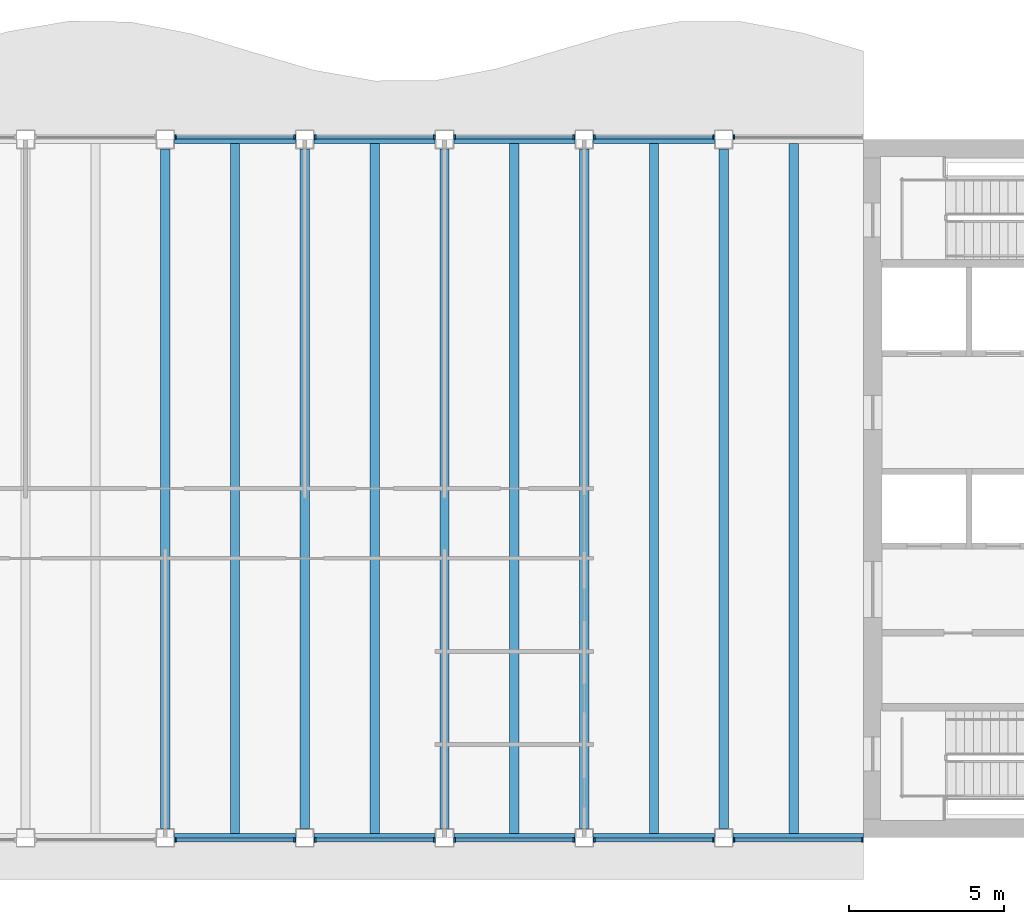
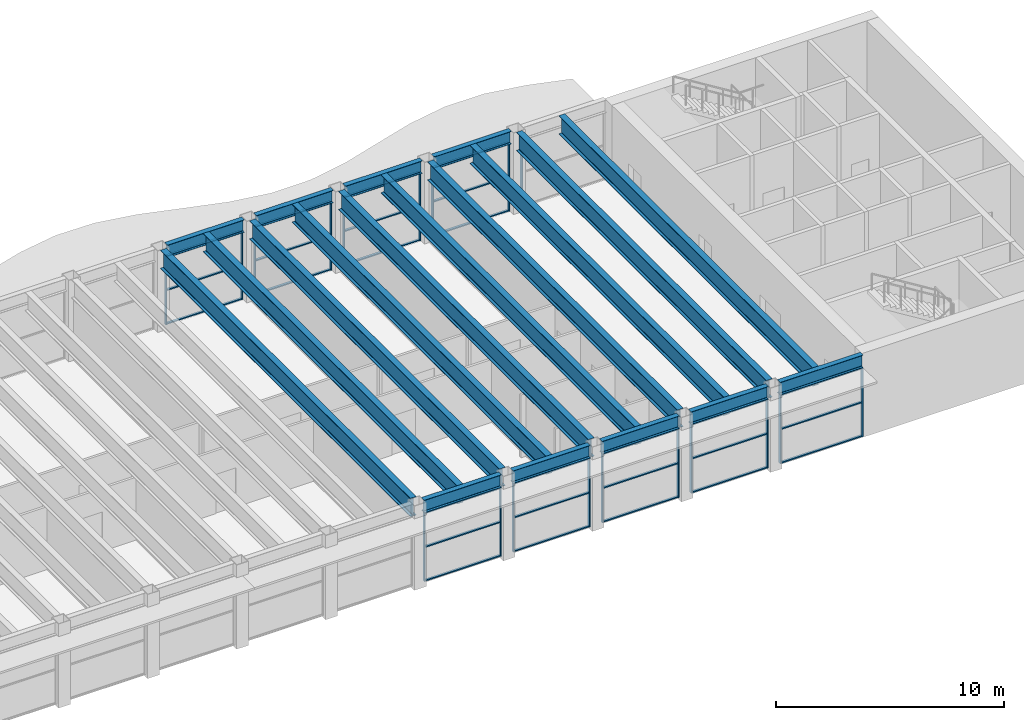
# One storey, part 5 of 14: 46 members, 19 beams, 10 elements without a shape of their own.
"""IFC4 building model written with IfcOpenShell, lengths in metres."""

from ifc_helpers import new_model, si_unit, direction, frame, origin, origin_2d, place, context, subcontext, project, spatial, rectangle, i_section, extrude, material, material_profile, profile_set, type_object, element, aggregate, save


model = new_model("IFC4")

# Units and contexts
model_context = context("Model", 3, precision=1e-05, world=origin(), true_north=direction((0.0, 1.0)))
body_context = subcontext(model_context, "Body", "Model", "MODEL_VIEW")
ifc_project = project(units=[si_unit("LENGTHUNIT", "METRE"), si_unit("AREAUNIT", "SQUARE_METRE"), si_unit("VOLUMEUNIT", "CUBIC_METRE"), si_unit("PLANEANGLEUNIT", "RADIAN"), si_unit("MASSUNIT", "GRAM", prefix="KILO")], contexts=[model_context])

# Site, building, storey
site_placement = place(None, origin())
site = spatial("IfcSite", under=ifc_project, at=site_placement, CompositionType="ELEMENT")
building_placement = place(site_placement, origin())
building = spatial("IfcBuilding", under=site, at=building_placement, Name="Sennacour Bend Tower", CompositionType="ELEMENT")
storey_placement = place(building_placement, frame((0.0, 0.0, 305.0)))
storey = spatial("IfcBuildingStorey", under=building, at=storey_placement, Name="L70", CompositionType="ELEMENT", Elevation=305.0)

# Curtain wall, members
ifc_material_1 = material(Name="Bronze anodised aluminium curtain wall with clear glass", Category="aluminium")
curtain_wall_type = type_object("IfcCurtainWallType", Name="CURTAIN WALL EXEC", PredefinedType="NOTDEFINED", material=ifc_material_1)
curtain_wall_1_placement = place(storey_placement, origin())
curtain_wall_1 = element("IfcCurtainWall", 1, at=curtain_wall_1_placement, inside=storey, type_object=curtain_wall_type, Name="Executive floor glass wall L70", PredefinedType="NOTDEFINED")
ifc_material_2 = material(Name="Aluminium 6063-T6", Category="aluminium")
ifc_material_profile_1 = material_profile(ifc_material_2, rectangle(XDim=0.14990234375, YDim=0.06005859375, at=origin_2d()), Name="Aluminium 6063-T6", Category="aluminium")
ifc_profile_set_1 = profile_set([ifc_material_profile_1], Name="Aluminium 6063-T6")
member_type_1 = type_object("IfcMemberType", Name="CW-MULLION-150X60", PredefinedType="MULLION", material=ifc_profile_set_1)
member_1_placement = place(storey_placement, frame((31.830078125, -0.074951171875, 0.0), z_axis=(0.0, 0.0, 1.0), x_axis=(0.0, 1.0, 0.0)))
member_1 = element("IfcMember", 2, at=member_1_placement, type_object=member_type_1, Name="GW3 curtain wall mullion 1", PredefinedType="MULLION", context=body_context, shape_type="SweptSolid", body=[
    extrude(rectangle(XDim=0.14990234375, YDim=0.06005859375, at=origin_2d()), origin(), (0.0, 0.0, 1.0), 3.672119140625),
])
member_2_placement = place(storey_placement, frame((35.669921875, -0.074951171875, 0.0), z_axis=(0.0, 0.0, 1.0), x_axis=(0.0, 1.0, 0.0)))
member_2 = element("IfcMember", 3, at=member_2_placement, type_object=member_type_1, Name="GW3 curtain wall mullion 2", PredefinedType="MULLION", context=body_context, shape_type="SweptSolid", body=[
    extrude(rectangle(XDim=0.14990234375, YDim=0.06005859375, at=origin_2d()), origin(), (0.0, 0.0, 1.0), 3.672119140625),
])

curtain_wall_2_placement = place(storey_placement, origin())
curtain_wall_2 = element("IfcCurtainWall", 4, at=curtain_wall_2_placement, inside=storey, type_object=curtain_wall_type, Name="Executive floor glass wall L70", PredefinedType="NOTDEFINED")
member_3_placement = place(storey_placement, frame((36.330078125, -0.074951171875, 0.0), z_axis=(0.0, 0.0, 1.0), x_axis=(0.0, 1.0, 0.0)))
member_3 = element("IfcMember", 5, at=member_3_placement, type_object=member_type_1, Name="GW3 curtain wall mullion 1", PredefinedType="MULLION", context=body_context, shape_type="SweptSolid", body=[
    extrude(rectangle(XDim=0.14990234375, YDim=0.06005859375, at=origin_2d()), origin(), (0.0, 0.0, 1.0), 3.672119140625),
])
member_4_placement = place(storey_placement, frame((40.169921875, -0.074951171875, 0.0), z_axis=(0.0, 0.0, 1.0), x_axis=(0.0, 1.0, 0.0)))
member_4 = element("IfcMember", 6, at=member_4_placement, type_object=member_type_1, Name="GW3 curtain wall mullion 2", PredefinedType="MULLION", context=body_context, shape_type="SweptSolid", body=[
    extrude(rectangle(XDim=0.14990234375, YDim=0.06005859375, at=origin_2d()), origin(), (0.0, 0.0, 1.0), 3.672119140625),
])

curtain_wall_3_placement = place(storey_placement, origin())
curtain_wall_3 = element("IfcCurtainWall", 7, at=curtain_wall_3_placement, inside=storey, type_object=curtain_wall_type, Name="Executive floor glass wall L70", PredefinedType="NOTDEFINED")
member_5_placement = place(storey_placement, frame((40.830078125, -0.074951171875, 0.0), z_axis=(0.0, 0.0, 1.0), x_axis=(0.0, 1.0, 0.0)))
member_5 = element("IfcMember", 8, at=member_5_placement, type_object=member_type_1, Name="GW3 curtain wall mullion 1", PredefinedType="MULLION", context=body_context, shape_type="SweptSolid", body=[
    extrude(rectangle(XDim=0.14990234375, YDim=0.06005859375, at=origin_2d()), origin(), (0.0, 0.0, 1.0), 3.672119140625),
])
member_6_placement = place(storey_placement, frame((44.669921875, -0.074951171875, 0.0), z_axis=(0.0, 0.0, 1.0), x_axis=(0.0, 1.0, 0.0)))
member_6 = element("IfcMember", 9, at=member_6_placement, type_object=member_type_1, Name="GW3 curtain wall mullion 2", PredefinedType="MULLION", context=body_context, shape_type="SweptSolid", body=[
    extrude(rectangle(XDim=0.14990234375, YDim=0.06005859375, at=origin_2d()), origin(), (0.0, 0.0, 1.0), 3.672119140625),
])

curtain_wall_4_placement = place(storey_placement, origin())
curtain_wall_4 = element("IfcCurtainWall", 10, at=curtain_wall_4_placement, inside=storey, type_object=curtain_wall_type, Name="Executive floor glass wall L70", PredefinedType="NOTDEFINED")
member_7_placement = place(storey_placement, frame((45.330078125, -0.074951171875, 0.0), z_axis=(0.0, 0.0, 1.0), x_axis=(0.0, 1.0, 0.0)))
member_7 = element("IfcMember", 11, at=member_7_placement, type_object=member_type_1, Name="GW3 curtain wall mullion 1", PredefinedType="MULLION", context=body_context, shape_type="SweptSolid", body=[
    extrude(rectangle(XDim=0.14990234375, YDim=0.06005859375, at=origin_2d()), origin(), (0.0, 0.0, 1.0), 3.672119140625),
])
member_8_placement = place(storey_placement, frame((49.169921875, -0.074951171875, 0.0), z_axis=(0.0, 0.0, 1.0), x_axis=(0.0, 1.0, 0.0)))
member_8 = element("IfcMember", 12, at=member_8_placement, type_object=member_type_1, Name="GW3 curtain wall mullion 2", PredefinedType="MULLION", context=body_context, shape_type="SweptSolid", body=[
    extrude(rectangle(XDim=0.14990234375, YDim=0.06005859375, at=origin_2d()), origin(), (0.0, 0.0, 1.0), 3.672119140625),
])

curtain_wall_5_placement = place(storey_placement, origin())
curtain_wall_5 = element("IfcCurtainWall", 13, at=curtain_wall_5_placement, inside=storey, type_object=curtain_wall_type, Name="Executive floor glass wall L70", PredefinedType="NOTDEFINED")
member_9_placement = place(storey_placement, frame((49.830078125, -0.074951171875, 0.0), z_axis=(0.0, 0.0, 1.0), x_axis=(0.0, 1.0, 0.0)))
member_9 = element("IfcMember", 14, at=member_9_placement, type_object=member_type_1, Name="GW3 curtain wall mullion 1", PredefinedType="MULLION", context=body_context, shape_type="SweptSolid", body=[
    extrude(rectangle(XDim=0.14990234375, YDim=0.06005859375, at=origin_2d()), origin(), (0.0, 0.0, 1.0), 3.672119140625),
])
member_10_placement = place(storey_placement, frame((53.969970703125, -0.074951171875, 0.0), z_axis=(0.0, 0.0, 1.0), x_axis=(0.0, 1.0, 0.0)))
member_10 = element("IfcMember", 15, at=member_10_placement, type_object=member_type_1, Name="GW3 curtain wall mullion 2", PredefinedType="MULLION", context=body_context, shape_type="SweptSolid", body=[
    extrude(rectangle(XDim=0.14990234375, YDim=0.06005859375, at=origin_2d()), origin(), (0.0, 0.0, 1.0), 3.672119140625),
])

# Curtain wall, member
curtain_wall_6_placement = place(storey_placement, origin())
curtain_wall_6 = element("IfcCurtainWall", 16, at=curtain_wall_6_placement, inside=storey, type_object=curtain_wall_type, Name="Executive floor glass wall L70", PredefinedType="NOTDEFINED")
member_11_placement = place(storey_placement, frame((49.830078125, 22.574951171875, 0.0), z_axis=(0.0, 0.0, 1.0), x_axis=(0.0, -1.0, 0.0)))
member_11 = element("IfcMember", 17, at=member_11_placement, type_object=member_type_1, Name="GW3 curtain wall mullion 2", PredefinedType="MULLION", context=body_context, shape_type="SweptSolid", body=[
    extrude(rectangle(XDim=0.14990234375, YDim=0.06005859375, at=origin_2d()), origin(), (0.0, 0.0, 1.0), 3.672119140625),
])
aggregate(curtain_wall_6, [member_11])

# Curtain wall, members
curtain_wall_7_placement = place(storey_placement, origin())
curtain_wall_7 = element("IfcCurtainWall", 18, at=curtain_wall_7_placement, inside=storey, type_object=curtain_wall_type, Name="Executive floor glass wall L70", PredefinedType="NOTDEFINED")
member_12_placement = place(storey_placement, frame((49.169921875, 22.574951171875, 0.0), z_axis=(0.0, 0.0, 1.0), x_axis=(0.0, -1.0, 0.0)))
member_12 = element("IfcMember", 19, at=member_12_placement, type_object=member_type_1, Name="GW3 curtain wall mullion 1", PredefinedType="MULLION", context=body_context, shape_type="SweptSolid", body=[
    extrude(rectangle(XDim=0.14990234375, YDim=0.06005859375, at=origin_2d()), origin(), (0.0, 0.0, 1.0), 3.672119140625),
])
member_13_placement = place(storey_placement, frame((45.330078125, 22.574951171875, 0.0), z_axis=(0.0, 0.0, 1.0), x_axis=(0.0, -1.0, 0.0)))
member_13 = element("IfcMember", 20, at=member_13_placement, type_object=member_type_1, Name="GW3 curtain wall mullion 2", PredefinedType="MULLION", context=body_context, shape_type="SweptSolid", body=[
    extrude(rectangle(XDim=0.14990234375, YDim=0.06005859375, at=origin_2d()), origin(), (0.0, 0.0, 1.0), 3.672119140625),
])

curtain_wall_8_placement = place(storey_placement, origin())
curtain_wall_8 = element("IfcCurtainWall", 21, at=curtain_wall_8_placement, inside=storey, type_object=curtain_wall_type, Name="Executive floor glass wall L70", PredefinedType="NOTDEFINED")
member_14_placement = place(storey_placement, frame((44.669921875, 22.574951171875, 0.0), z_axis=(0.0, 0.0, 1.0), x_axis=(0.0, -1.0, 0.0)))
member_14 = element("IfcMember", 22, at=member_14_placement, type_object=member_type_1, Name="GW3 curtain wall mullion 1", PredefinedType="MULLION", context=body_context, shape_type="SweptSolid", body=[
    extrude(rectangle(XDim=0.14990234375, YDim=0.06005859375, at=origin_2d()), origin(), (0.0, 0.0, 1.0), 3.672119140625),
])
member_15_placement = place(storey_placement, frame((40.830078125, 22.574951171875, 0.0), z_axis=(0.0, 0.0, 1.0), x_axis=(0.0, -1.0, 0.0)))
member_15 = element("IfcMember", 23, at=member_15_placement, type_object=member_type_1, Name="GW3 curtain wall mullion 2", PredefinedType="MULLION", context=body_context, shape_type="SweptSolid", body=[
    extrude(rectangle(XDim=0.14990234375, YDim=0.06005859375, at=origin_2d()), origin(), (0.0, 0.0, 1.0), 3.672119140625),
])

curtain_wall_9_placement = place(storey_placement, origin())
curtain_wall_9 = element("IfcCurtainWall", 24, at=curtain_wall_9_placement, inside=storey, type_object=curtain_wall_type, Name="Executive floor glass wall L70", PredefinedType="NOTDEFINED")
member_16_placement = place(storey_placement, frame((40.169921875, 22.574951171875, 0.0), z_axis=(0.0, 0.0, 1.0), x_axis=(0.0, -1.0, 0.0)))
member_16 = element("IfcMember", 25, at=member_16_placement, type_object=member_type_1, Name="GW3 curtain wall mullion 1", PredefinedType="MULLION", context=body_context, shape_type="SweptSolid", body=[
    extrude(rectangle(XDim=0.14990234375, YDim=0.06005859375, at=origin_2d()), origin(), (0.0, 0.0, 1.0), 3.672119140625),
])
member_17_placement = place(storey_placement, frame((36.330078125, 22.574951171875, 0.0), z_axis=(0.0, 0.0, 1.0), x_axis=(0.0, -1.0, 0.0)))
member_17 = element("IfcMember", 26, at=member_17_placement, type_object=member_type_1, Name="GW3 curtain wall mullion 2", PredefinedType="MULLION", context=body_context, shape_type="SweptSolid", body=[
    extrude(rectangle(XDim=0.14990234375, YDim=0.06005859375, at=origin_2d()), origin(), (0.0, 0.0, 1.0), 3.672119140625),
])

curtain_wall_10_placement = place(storey_placement, origin())
curtain_wall_10 = element("IfcCurtainWall", 27, at=curtain_wall_10_placement, inside=storey, type_object=curtain_wall_type, Name="Executive floor glass wall L70", PredefinedType="NOTDEFINED")
member_18_placement = place(storey_placement, frame((35.669921875, 22.574951171875, 0.0), z_axis=(0.0, 0.0, 1.0), x_axis=(0.0, -1.0, 0.0)))
member_18 = element("IfcMember", 28, at=member_18_placement, type_object=member_type_1, Name="GW3 curtain wall mullion 1", PredefinedType="MULLION", context=body_context, shape_type="SweptSolid", body=[
    extrude(rectangle(XDim=0.14990234375, YDim=0.06005859375, at=origin_2d()), origin(), (0.0, 0.0, 1.0), 3.672119140625),
])
member_19_placement = place(storey_placement, frame((31.830078125, 22.574951171875, 0.0), z_axis=(0.0, 0.0, 1.0), x_axis=(0.0, -1.0, 0.0)))
member_19 = element("IfcMember", 29, at=member_19_placement, type_object=member_type_1, Name="GW3 curtain wall mullion 2", PredefinedType="MULLION", context=body_context, shape_type="SweptSolid", body=[
    extrude(rectangle(XDim=0.14990234375, YDim=0.06005859375, at=origin_2d()), origin(), (0.0, 0.0, 1.0), 3.672119140625),
])

# Member
ifc_material_profile_2 = material_profile(ifc_material_2, rectangle(XDim=0.1201171875, YDim=0.06005859375, at=origin_2d()), Name="Aluminium 6063-T6", Category="aluminium")
ifc_profile_set_2 = profile_set([ifc_material_profile_2], Name="Aluminium 6063-T6")
member_type_2 = type_object("IfcMemberType", Name="CW-TRANSOM-120X60", PredefinedType="USERDEFINED", material=ifc_profile_set_2)
member_20_placement = place(storey_placement, frame((31.860107421875, -0.074951171875, 0.030029296875), z_axis=(1.0, 0.0, 0.0), x_axis=(0.0, 1.0, 0.0)))
member_20 = element("IfcMember", 30, at=member_20_placement, type_object=member_type_2, Name="GW3 curtain wall transom 1.1", ObjectType="TRANSOM", PredefinedType="USERDEFINED", context=body_context, shape_type="SweptSolid", body=[
    extrude(rectangle(XDim=0.1201171875, YDim=0.06005859375, at=origin_2d()), origin(), (0.0, 0.0, 1.0), 3.77978515625),
])

member_21_placement = place(storey_placement, frame((31.860107421875, -0.074951171875, 1.8359375), z_axis=(1.0, 0.0, 0.0), x_axis=(0.0, 1.0, 0.0)))
member_21 = element("IfcMember", 31, at=member_21_placement, type_object=member_type_2, Name="GW3 curtain wall transom 1.2", ObjectType="TRANSOM", PredefinedType="USERDEFINED", context=body_context, shape_type="SweptSolid", body=[
    extrude(rectangle(XDim=0.1201171875, YDim=0.06005859375, at=origin_2d()), origin(), (0.0, 0.0, 1.0), 3.77978515625),
])

member_22_placement = place(storey_placement, frame((31.860107421875, -0.074951171875, 3.64208984375), z_axis=(1.0, 0.0, 0.0), x_axis=(0.0, 1.0, 0.0)))
member_22 = element("IfcMember", 32, at=member_22_placement, type_object=member_type_2, Name="GW3 curtain wall transom 1.3", ObjectType="TRANSOM", PredefinedType="USERDEFINED", context=body_context, shape_type="SweptSolid", body=[
    extrude(rectangle(XDim=0.1201171875, YDim=0.06005859375, at=origin_2d()), origin(), (0.0, 0.0, 1.0), 3.77978515625),
])

aggregate(curtain_wall_1, [member_1, member_2, member_20, member_21, member_22])

member_23_placement = place(storey_placement, frame((36.360107421875, -0.074951171875, 0.030029296875), z_axis=(1.0, 0.0, 0.0), x_axis=(0.0, 1.0, 0.0)))
member_23 = element("IfcMember", 33, at=member_23_placement, type_object=member_type_2, Name="GW3 curtain wall transom 1.1", ObjectType="TRANSOM", PredefinedType="USERDEFINED", context=body_context, shape_type="SweptSolid", body=[
    extrude(rectangle(XDim=0.1201171875, YDim=0.06005859375, at=origin_2d()), origin(), (0.0, 0.0, 1.0), 3.77978515625),
])

member_24_placement = place(storey_placement, frame((36.360107421875, -0.074951171875, 1.8359375), z_axis=(1.0, 0.0, 0.0), x_axis=(0.0, 1.0, 0.0)))
member_24 = element("IfcMember", 34, at=member_24_placement, type_object=member_type_2, Name="GW3 curtain wall transom 1.2", ObjectType="TRANSOM", PredefinedType="USERDEFINED", context=body_context, shape_type="SweptSolid", body=[
    extrude(rectangle(XDim=0.1201171875, YDim=0.06005859375, at=origin_2d()), origin(), (0.0, 0.0, 1.0), 3.77978515625),
])

member_25_placement = place(storey_placement, frame((36.360107421875, -0.074951171875, 3.64208984375), z_axis=(1.0, 0.0, 0.0), x_axis=(0.0, 1.0, 0.0)))
member_25 = element("IfcMember", 35, at=member_25_placement, type_object=member_type_2, Name="GW3 curtain wall transom 1.3", ObjectType="TRANSOM", PredefinedType="USERDEFINED", context=body_context, shape_type="SweptSolid", body=[
    extrude(rectangle(XDim=0.1201171875, YDim=0.06005859375, at=origin_2d()), origin(), (0.0, 0.0, 1.0), 3.77978515625),
])

aggregate(curtain_wall_2, [member_3, member_4, member_23, member_24, member_25])

member_26_placement = place(storey_placement, frame((40.860107421875, -0.074951171875, 0.030029296875), z_axis=(1.0, 0.0, 0.0), x_axis=(0.0, 1.0, 0.0)))
member_26 = element("IfcMember", 36, at=member_26_placement, type_object=member_type_2, Name="GW3 curtain wall transom 1.1", ObjectType="TRANSOM", PredefinedType="USERDEFINED", context=body_context, shape_type="SweptSolid", body=[
    extrude(rectangle(XDim=0.1201171875, YDim=0.06005859375, at=origin_2d()), origin(), (0.0, 0.0, 1.0), 3.77978515625),
])

member_27_placement = place(storey_placement, frame((40.860107421875, -0.074951171875, 1.8359375), z_axis=(1.0, 0.0, 0.0), x_axis=(0.0, 1.0, 0.0)))
member_27 = element("IfcMember", 37, at=member_27_placement, type_object=member_type_2, Name="GW3 curtain wall transom 1.2", ObjectType="TRANSOM", PredefinedType="USERDEFINED", context=body_context, shape_type="SweptSolid", body=[
    extrude(rectangle(XDim=0.1201171875, YDim=0.06005859375, at=origin_2d()), origin(), (0.0, 0.0, 1.0), 3.77978515625),
])

member_28_placement = place(storey_placement, frame((40.860107421875, -0.074951171875, 3.64208984375), z_axis=(1.0, 0.0, 0.0), x_axis=(0.0, 1.0, 0.0)))
member_28 = element("IfcMember", 38, at=member_28_placement, type_object=member_type_2, Name="GW3 curtain wall transom 1.3", ObjectType="TRANSOM", PredefinedType="USERDEFINED", context=body_context, shape_type="SweptSolid", body=[
    extrude(rectangle(XDim=0.1201171875, YDim=0.06005859375, at=origin_2d()), origin(), (0.0, 0.0, 1.0), 3.77978515625),
])

aggregate(curtain_wall_3, [member_5, member_6, member_26, member_27, member_28])

member_29_placement = place(storey_placement, frame((45.360107421875, -0.074951171875, 0.030029296875), z_axis=(1.0, 0.0, 0.0), x_axis=(0.0, 1.0, 0.0)))
member_29 = element("IfcMember", 39, at=member_29_placement, type_object=member_type_2, Name="GW3 curtain wall transom 1.1", ObjectType="TRANSOM", PredefinedType="USERDEFINED", context=body_context, shape_type="SweptSolid", body=[
    extrude(rectangle(XDim=0.1201171875, YDim=0.06005859375, at=origin_2d()), origin(), (0.0, 0.0, 1.0), 3.77978515625),
])

member_30_placement = place(storey_placement, frame((45.360107421875, -0.074951171875, 1.8359375), z_axis=(1.0, 0.0, 0.0), x_axis=(0.0, 1.0, 0.0)))
member_30 = element("IfcMember", 40, at=member_30_placement, type_object=member_type_2, Name="GW3 curtain wall transom 1.2", ObjectType="TRANSOM", PredefinedType="USERDEFINED", context=body_context, shape_type="SweptSolid", body=[
    extrude(rectangle(XDim=0.1201171875, YDim=0.06005859375, at=origin_2d()), origin(), (0.0, 0.0, 1.0), 3.77978515625),
])

member_31_placement = place(storey_placement, frame((45.360107421875, -0.074951171875, 3.64208984375), z_axis=(1.0, 0.0, 0.0), x_axis=(0.0, 1.0, 0.0)))
member_31 = element("IfcMember", 41, at=member_31_placement, type_object=member_type_2, Name="GW3 curtain wall transom 1.3", ObjectType="TRANSOM", PredefinedType="USERDEFINED", context=body_context, shape_type="SweptSolid", body=[
    extrude(rectangle(XDim=0.1201171875, YDim=0.06005859375, at=origin_2d()), origin(), (0.0, 0.0, 1.0), 3.77978515625),
])

aggregate(curtain_wall_4, [member_7, member_8, member_29, member_30, member_31])

member_32_placement = place(storey_placement, frame((49.860107421875, -0.074951171875, 0.030029296875), z_axis=(1.0, 0.0, 0.0), x_axis=(0.0, 1.0, 0.0)))
member_32 = element("IfcMember", 42, at=member_32_placement, type_object=member_type_2, Name="GW3 curtain wall transom 1.1", ObjectType="TRANSOM", PredefinedType="USERDEFINED", context=body_context, shape_type="SweptSolid", body=[
    extrude(rectangle(XDim=0.1201171875, YDim=0.06005859375, at=origin_2d()), origin(), (0.0, 0.0, 1.0), 4.079833984375),
])

member_33_placement = place(storey_placement, frame((49.860107421875, -0.074951171875, 1.8359375), z_axis=(1.0, 0.0, 0.0), x_axis=(0.0, 1.0, 0.0)))
member_33 = element("IfcMember", 43, at=member_33_placement, type_object=member_type_2, Name="GW3 curtain wall transom 1.2", ObjectType="TRANSOM", PredefinedType="USERDEFINED", context=body_context, shape_type="SweptSolid", body=[
    extrude(rectangle(XDim=0.1201171875, YDim=0.06005859375, at=origin_2d()), origin(), (0.0, 0.0, 1.0), 4.079833984375),
])

member_34_placement = place(storey_placement, frame((49.860107421875, -0.074951171875, 3.64208984375), z_axis=(1.0, 0.0, 0.0), x_axis=(0.0, 1.0, 0.0)))
member_34 = element("IfcMember", 44, at=member_34_placement, type_object=member_type_2, Name="GW3 curtain wall transom 1.3", ObjectType="TRANSOM", PredefinedType="USERDEFINED", context=body_context, shape_type="SweptSolid", body=[
    extrude(rectangle(XDim=0.1201171875, YDim=0.06005859375, at=origin_2d()), origin(), (0.0, 0.0, 1.0), 4.079833984375),
])

aggregate(curtain_wall_5, [member_9, member_10, member_32, member_33, member_34])

member_35_placement = place(storey_placement, frame((49.139892578125, 22.574951171875, 0.030029296875), z_axis=(-1.0, 0.0, 0.0), x_axis=(0.0, -1.0, 0.0)))
member_35 = element("IfcMember", 45, at=member_35_placement, type_object=member_type_2, Name="GW3 curtain wall transom 1.1", ObjectType="TRANSOM", PredefinedType="USERDEFINED", context=body_context, shape_type="SweptSolid", body=[
    extrude(rectangle(XDim=0.1201171875, YDim=0.06005859375, at=origin_2d()), origin(), (0.0, 0.0, 1.0), 3.77978515625),
])

member_36_placement = place(storey_placement, frame((49.139892578125, 22.574951171875, 1.8359375), z_axis=(-1.0, 0.0, 0.0), x_axis=(0.0, -1.0, 0.0)))
member_36 = element("IfcMember", 46, at=member_36_placement, type_object=member_type_2, Name="GW3 curtain wall transom 1.2", ObjectType="TRANSOM", PredefinedType="USERDEFINED", context=body_context, shape_type="SweptSolid", body=[
    extrude(rectangle(XDim=0.1201171875, YDim=0.06005859375, at=origin_2d()), origin(), (0.0, 0.0, 1.0), 3.77978515625),
])

member_37_placement = place(storey_placement, frame((49.139892578125, 22.574951171875, 3.64208984375), z_axis=(-1.0, 0.0, 0.0), x_axis=(0.0, -1.0, 0.0)))
member_37 = element("IfcMember", 47, at=member_37_placement, type_object=member_type_2, Name="GW3 curtain wall transom 1.3", ObjectType="TRANSOM", PredefinedType="USERDEFINED", context=body_context, shape_type="SweptSolid", body=[
    extrude(rectangle(XDim=0.1201171875, YDim=0.06005859375, at=origin_2d()), origin(), (0.0, 0.0, 1.0), 3.77978515625),
])

aggregate(curtain_wall_7, [member_12, member_13, member_35, member_36, member_37])

member_38_placement = place(storey_placement, frame((44.639892578125, 22.574951171875, 0.030029296875), z_axis=(-1.0, 0.0, 0.0), x_axis=(0.0, -1.0, 0.0)))
member_38 = element("IfcMember", 48, at=member_38_placement, type_object=member_type_2, Name="GW3 curtain wall transom 1.1", ObjectType="TRANSOM", PredefinedType="USERDEFINED", context=body_context, shape_type="SweptSolid", body=[
    extrude(rectangle(XDim=0.1201171875, YDim=0.06005859375, at=origin_2d()), origin(), (0.0, 0.0, 1.0), 3.77978515625),
])

member_39_placement = place(storey_placement, frame((44.639892578125, 22.574951171875, 1.8359375), z_axis=(-1.0, 0.0, 0.0), x_axis=(0.0, -1.0, 0.0)))
member_39 = element("IfcMember", 49, at=member_39_placement, type_object=member_type_2, Name="GW3 curtain wall transom 1.2", ObjectType="TRANSOM", PredefinedType="USERDEFINED", context=body_context, shape_type="SweptSolid", body=[
    extrude(rectangle(XDim=0.1201171875, YDim=0.06005859375, at=origin_2d()), origin(), (0.0, 0.0, 1.0), 3.77978515625),
])

member_40_placement = place(storey_placement, frame((44.639892578125, 22.574951171875, 3.64208984375), z_axis=(-1.0, 0.0, 0.0), x_axis=(0.0, -1.0, 0.0)))
member_40 = element("IfcMember", 50, at=member_40_placement, type_object=member_type_2, Name="GW3 curtain wall transom 1.3", ObjectType="TRANSOM", PredefinedType="USERDEFINED", context=body_context, shape_type="SweptSolid", body=[
    extrude(rectangle(XDim=0.1201171875, YDim=0.06005859375, at=origin_2d()), origin(), (0.0, 0.0, 1.0), 3.77978515625),
])

aggregate(curtain_wall_8, [member_14, member_15, member_38, member_39, member_40])

member_41_placement = place(storey_placement, frame((40.139892578125, 22.574951171875, 0.030029296875), z_axis=(-1.0, 0.0, 0.0), x_axis=(0.0, -1.0, 0.0)))
member_41 = element("IfcMember", 51, at=member_41_placement, type_object=member_type_2, Name="GW3 curtain wall transom 1.1", ObjectType="TRANSOM", PredefinedType="USERDEFINED", context=body_context, shape_type="SweptSolid", body=[
    extrude(rectangle(XDim=0.1201171875, YDim=0.06005859375, at=origin_2d()), origin(), (0.0, 0.0, 1.0), 3.77978515625),
])

member_42_placement = place(storey_placement, frame((40.139892578125, 22.574951171875, 1.8359375), z_axis=(-1.0, 0.0, 0.0), x_axis=(0.0, -1.0, 0.0)))
member_42 = element("IfcMember", 52, at=member_42_placement, type_object=member_type_2, Name="GW3 curtain wall transom 1.2", ObjectType="TRANSOM", PredefinedType="USERDEFINED", context=body_context, shape_type="SweptSolid", body=[
    extrude(rectangle(XDim=0.1201171875, YDim=0.06005859375, at=origin_2d()), origin(), (0.0, 0.0, 1.0), 3.77978515625),
])

member_43_placement = place(storey_placement, frame((40.139892578125, 22.574951171875, 3.64208984375), z_axis=(-1.0, 0.0, 0.0), x_axis=(0.0, -1.0, 0.0)))
member_43 = element("IfcMember", 53, at=member_43_placement, type_object=member_type_2, Name="GW3 curtain wall transom 1.3", ObjectType="TRANSOM", PredefinedType="USERDEFINED", context=body_context, shape_type="SweptSolid", body=[
    extrude(rectangle(XDim=0.1201171875, YDim=0.06005859375, at=origin_2d()), origin(), (0.0, 0.0, 1.0), 3.77978515625),
])

aggregate(curtain_wall_9, [member_16, member_17, member_41, member_42, member_43])

member_44_placement = place(storey_placement, frame((35.639892578125, 22.574951171875, 0.030029296875), z_axis=(-1.0, 0.0, 0.0), x_axis=(0.0, -1.0, 0.0)))
member_44 = element("IfcMember", 54, at=member_44_placement, type_object=member_type_2, Name="GW3 curtain wall transom 1.1", ObjectType="TRANSOM", PredefinedType="USERDEFINED", context=body_context, shape_type="SweptSolid", body=[
    extrude(rectangle(XDim=0.1201171875, YDim=0.06005859375, at=origin_2d()), origin(), (0.0, 0.0, 1.0), 3.77978515625),
])

member_45_placement = place(storey_placement, frame((35.639892578125, 22.574951171875, 1.8359375), z_axis=(-1.0, 0.0, 0.0), x_axis=(0.0, -1.0, 0.0)))
member_45 = element("IfcMember", 55, at=member_45_placement, type_object=member_type_2, Name="GW3 curtain wall transom 1.2", ObjectType="TRANSOM", PredefinedType="USERDEFINED", context=body_context, shape_type="SweptSolid", body=[
    extrude(rectangle(XDim=0.1201171875, YDim=0.06005859375, at=origin_2d()), origin(), (0.0, 0.0, 1.0), 3.77978515625),
])

member_46_placement = place(storey_placement, frame((35.639892578125, 22.574951171875, 3.64208984375), z_axis=(-1.0, 0.0, 0.0), x_axis=(0.0, -1.0, 0.0)))
member_46 = element("IfcMember", 56, at=member_46_placement, type_object=member_type_2, Name="GW3 curtain wall transom 1.3", ObjectType="TRANSOM", PredefinedType="USERDEFINED", context=body_context, shape_type="SweptSolid", body=[
    extrude(rectangle(XDim=0.1201171875, YDim=0.06005859375, at=origin_2d()), origin(), (0.0, 0.0, 1.0), 3.77978515625),
])

aggregate(curtain_wall_10, [member_18, member_19, member_44, member_45, member_46])

# Beams
ifc_material_3 = material(Name="Steel ASTM A992 Grade 50", Category="steel")
ifc_material_profile_3 = material_profile(ifc_material_3, i_section(OverallWidth=0.300048828125, OverallDepth=0.990966796875, WebThickness=0.0166015625, FlangeThickness=0.030517578125, FilletRadius=0.030029296875, at=origin_2d()), Name="Steel ASTM A992 Grade 50", Category="steel")
ifc_profile_set_3 = profile_set([ifc_material_profile_3], Name="Steel ASTM A992 Grade 50")
beam_type_1 = type_object("IfcBeamType", Name="Floor beam W1000X272", PredefinedType="BEAM", material=ifc_profile_set_3)
beam_1_placement = place(storey_placement, frame((31.5, 0.300048828125, 3.8544921875), z_axis=(0.0, 1.0, 0.0), x_axis=(-1.0, 0.0, 0.0)))
element("IfcBeam", 57, at=beam_1_placement, inside=storey, type_object=beam_type_1, Name="Floor beam FBM3 L71-014", PredefinedType="BEAM", context=body_context, shape_type="SweptSolid", body=[
    extrude(i_section(OverallWidth=0.300048828125, OverallDepth=0.990966796875, WebThickness=0.0166015625, FlangeThickness=0.030517578125, FilletRadius=0.030029296875, at=origin_2d()), origin(), (0.0, 0.0, 1.0), 21.89990234375),
])
beam_2_placement = place(storey_placement, frame((33.75, 0.126953125, 3.8544921875), z_axis=(0.0, 1.0, 0.0), x_axis=(-1.0, 0.0, 0.0)))
element("IfcBeam", 58, at=beam_2_placement, inside=storey, type_object=beam_type_1, Name="Floor beam FBM3 L71-015", PredefinedType="BEAM", context=body_context, shape_type="SweptSolid", body=[
    extrude(i_section(OverallWidth=0.300048828125, OverallDepth=0.990966796875, WebThickness=0.0166015625, FlangeThickness=0.030517578125, FilletRadius=0.030029296875, at=origin_2d()), origin(), (0.0, 0.0, 1.0), 22.24609375),
])
beam_3_placement = place(storey_placement, frame((36.0, 0.300048828125, 3.8544921875), z_axis=(0.0, 1.0, 0.0), x_axis=(-1.0, 0.0, 0.0)))
element("IfcBeam", 59, at=beam_3_placement, inside=storey, type_object=beam_type_1, Name="Floor beam FBM3 L71-016", PredefinedType="BEAM", context=body_context, shape_type="SweptSolid", body=[
    extrude(i_section(OverallWidth=0.300048828125, OverallDepth=0.990966796875, WebThickness=0.0166015625, FlangeThickness=0.030517578125, FilletRadius=0.030029296875, at=origin_2d()), origin(), (0.0, 0.0, 1.0), 21.89990234375),
])
beam_4_placement = place(storey_placement, frame((38.25, 0.126953125, 3.8544921875), z_axis=(0.0, 1.0, 0.0), x_axis=(-1.0, 0.0, 0.0)))
element("IfcBeam", 60, at=beam_4_placement, inside=storey, type_object=beam_type_1, Name="Floor beam FBM3 L71-017", PredefinedType="BEAM", context=body_context, shape_type="SweptSolid", body=[
    extrude(i_section(OverallWidth=0.300048828125, OverallDepth=0.990966796875, WebThickness=0.0166015625, FlangeThickness=0.030517578125, FilletRadius=0.030029296875, at=origin_2d()), origin(), (0.0, 0.0, 1.0), 22.24609375),
])
beam_5_placement = place(storey_placement, frame((40.5, 0.300048828125, 3.8544921875), z_axis=(0.0, 1.0, 0.0), x_axis=(-1.0, 0.0, 0.0)))
element("IfcBeam", 61, at=beam_5_placement, inside=storey, type_object=beam_type_1, Name="Floor beam FBM3 L71-018", PredefinedType="BEAM", context=body_context, shape_type="SweptSolid", body=[
    extrude(i_section(OverallWidth=0.300048828125, OverallDepth=0.990966796875, WebThickness=0.0166015625, FlangeThickness=0.030517578125, FilletRadius=0.030029296875, at=origin_2d()), origin(), (0.0, 0.0, 1.0), 21.89990234375),
])
beam_6_placement = place(storey_placement, frame((42.75, 0.126953125, 3.8544921875), z_axis=(0.0, 1.0, 0.0), x_axis=(-1.0, 0.0, 0.0)))
element("IfcBeam", 62, at=beam_6_placement, inside=storey, type_object=beam_type_1, Name="Floor beam FBM3 L71-019", PredefinedType="BEAM", context=body_context, shape_type="SweptSolid", body=[
    extrude(i_section(OverallWidth=0.300048828125, OverallDepth=0.990966796875, WebThickness=0.0166015625, FlangeThickness=0.030517578125, FilletRadius=0.030029296875, at=origin_2d()), origin(), (0.0, 0.0, 1.0), 22.24609375),
])
beam_7_placement = place(storey_placement, frame((45.0, 0.300048828125, 3.8544921875), z_axis=(0.0, 1.0, 0.0), x_axis=(-1.0, 0.0, 0.0)))
element("IfcBeam", 63, at=beam_7_placement, inside=storey, type_object=beam_type_1, Name="Floor beam FBM3 L71-020", PredefinedType="BEAM", context=body_context, shape_type="SweptSolid", body=[
    extrude(i_section(OverallWidth=0.300048828125, OverallDepth=0.990966796875, WebThickness=0.0166015625, FlangeThickness=0.030517578125, FilletRadius=0.030029296875, at=origin_2d()), origin(), (0.0, 0.0, 1.0), 21.89990234375),
])
beam_8_placement = place(storey_placement, frame((47.25, 0.126953125, 3.8544921875), z_axis=(0.0, 1.0, 0.0), x_axis=(-1.0, 0.0, 0.0)))
element("IfcBeam", 64, at=beam_8_placement, inside=storey, type_object=beam_type_1, Name="Floor beam FBM3 L71-021", PredefinedType="BEAM", context=body_context, shape_type="SweptSolid", body=[
    extrude(i_section(OverallWidth=0.300048828125, OverallDepth=0.990966796875, WebThickness=0.0166015625, FlangeThickness=0.030517578125, FilletRadius=0.030029296875, at=origin_2d()), origin(), (0.0, 0.0, 1.0), 22.24609375),
])
beam_9_placement = place(storey_placement, frame((49.5, 0.300048828125, 3.8544921875), z_axis=(0.0, 1.0, 0.0), x_axis=(-1.0, 0.0, 0.0)))
element("IfcBeam", 65, at=beam_9_placement, inside=storey, type_object=beam_type_1, Name="Floor beam FBM3 L71-022", PredefinedType="BEAM", context=body_context, shape_type="SweptSolid", body=[
    extrude(i_section(OverallWidth=0.300048828125, OverallDepth=0.990966796875, WebThickness=0.0166015625, FlangeThickness=0.030517578125, FilletRadius=0.030029296875, at=origin_2d()), origin(), (0.0, 0.0, 1.0), 21.89990234375),
])
beam_10_placement = place(storey_placement, frame((51.75, 0.126953125, 3.8544921875), z_axis=(0.0, 1.0, 0.0), x_axis=(-1.0, 0.0, 0.0)))
element("IfcBeam", 66, at=beam_10_placement, inside=storey, type_object=beam_type_1, Name="Floor beam FBM3 L71-023", PredefinedType="BEAM", context=body_context, shape_type="SweptSolid", body=[
    extrude(i_section(OverallWidth=0.300048828125, OverallDepth=0.990966796875, WebThickness=0.0166015625, FlangeThickness=0.030517578125, FilletRadius=0.030029296875, at=origin_2d()), origin(), (0.0, 0.0, 1.0), 22.24609375),
])
ifc_material_profile_4 = material_profile(ifc_material_3, i_section(OverallWidth=0.25390625, OverallDepth=0.677978515625, WebThickness=0.01171875, FlangeThickness=0.016357421875, FilletRadius=0.01513671875, at=origin_2d()), Name="Steel ASTM A992 Grade 50", Category="steel")
ifc_profile_set_4 = profile_set([ifc_material_profile_4], Name="Steel ASTM A992 Grade 50")
beam_type_2 = type_object("IfcBeamType", Name="Spandrel beam W690X125", PredefinedType="SPANDREL", material=ifc_profile_set_4)
for number, where, z_axis, x_axis, name in (
    (67, (31.800048828125, 22.5, 4.010986328125), (1.0, 0.0, 0.0), (0.0, 1.0, 0.0), "Spandrel beam SP7 L71-013"),
    (68, (36.300048828125, 22.5, 4.010986328125), (1.0, 0.0, 0.0), (0.0, 1.0, 0.0), "Spandrel beam SP7 L71-014"),
    (69, (40.800048828125, 22.5, 4.010986328125), (1.0, 0.0, 0.0), (0.0, 1.0, 0.0), "Spandrel beam SP7 L71-015"),
    (70, (45.300048828125, 22.5, 4.010986328125), (1.0, 0.0, 0.0), (0.0, 1.0, 0.0), "Spandrel beam SP7 L71-016"),
):
    element("IfcBeam", number, at=place(storey_placement, frame(where, z_axis=z_axis, x_axis=x_axis)), inside=storey, type_object=beam_type_2, Name=name, PredefinedType="SPANDREL", context=body_context, shape_type="SweptSolid", body=[
        extrude(i_section(OverallWidth=0.25390625, OverallDepth=0.677978515625, WebThickness=0.01171875, FlangeThickness=0.016357421875, FilletRadius=0.01513671875, at=origin_2d()), origin(), (0.0, 0.0, 1.0), 3.89990234375),
    ])
beam_11_placement = place(storey_placement, frame((54.0, 0.0, 4.010986328125), z_axis=(-1.0, 0.0, 0.0), x_axis=(0.0, -1.0, 0.0)))
element("IfcBeam", 71, at=beam_11_placement, inside=storey, type_object=beam_type_2, Name="Spandrel beam SP7 L71-018", PredefinedType="SPANDREL", context=body_context, shape_type="SweptSolid", body=[
    extrude(i_section(OverallWidth=0.25390625, OverallDepth=0.677978515625, WebThickness=0.01171875, FlangeThickness=0.016357421875, FilletRadius=0.01513671875, at=origin_2d()), origin(), (0.0, 0.0, 1.0), 4.199951171875),
])
for number, where, z_axis, x_axis, name in (
    (72, (49.199951171875, 0.0, 4.010986328125), (-1.0, 0.0, 0.0), (0.0, -1.0, 0.0), "Spandrel beam SP7 L71-019"),
    (73, (44.699951171875, 0.0, 4.010986328125), (-1.0, 0.0, 0.0), (0.0, -1.0, 0.0), "Spandrel beam SP7 L71-020"),
    (74, (40.199951171875, 0.0, 4.010986328125), (-1.0, 0.0, 0.0), (0.0, -1.0, 0.0), "Spandrel beam SP7 L71-021"),
    (75, (35.699951171875, 0.0, 4.010986328125), (-1.0, 0.0, 0.0), (0.0, -1.0, 0.0), "Spandrel beam SP7 L71-022"),
):
    element("IfcBeam", number, at=place(storey_placement, frame(where, z_axis=z_axis, x_axis=x_axis)), inside=storey, type_object=beam_type_2, Name=name, PredefinedType="SPANDREL", context=body_context, shape_type="SweptSolid", body=[
        extrude(i_section(OverallWidth=0.25390625, OverallDepth=0.677978515625, WebThickness=0.01171875, FlangeThickness=0.016357421875, FilletRadius=0.01513671875, at=origin_2d()), origin(), (0.0, 0.0, 1.0), 3.89990234375),
    ])

save(model, "model.ifc")
